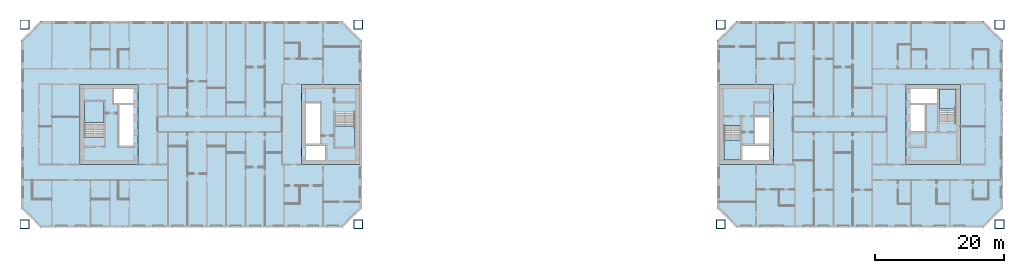
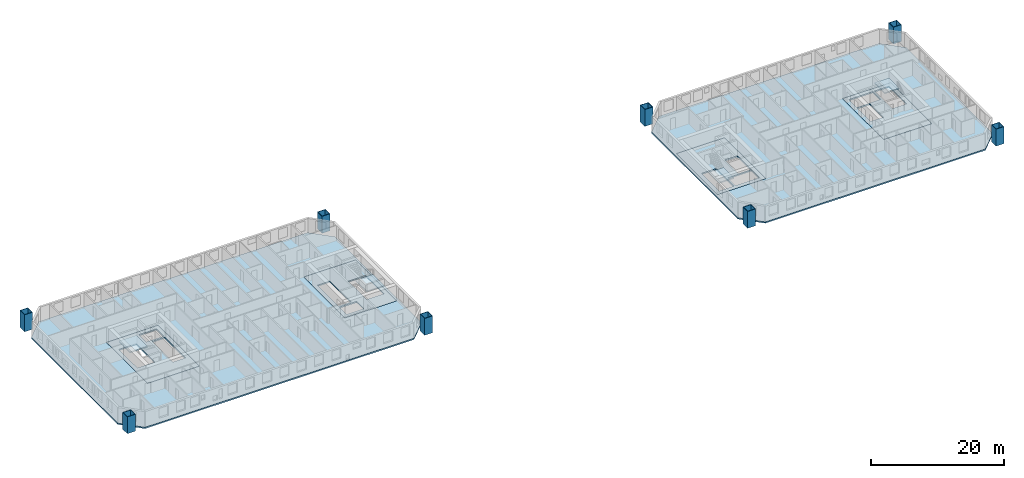
# One storey, part 1 of 17: 10 slabs, 8 columns, 4 elements without a shape of their own.
"""IFC4 building model written with IfcOpenShell, lengths in metres."""

from ifc_helpers import new_model, si_unit, direction, frame, origin, origin_2d, place, context, subcontext, project, spatial, polyline, hollow_rectangle, outline, extrude, material, layer, layer_set, material_profile, profile_set, type_object, element, aggregate, save


model = new_model("IFC4")

# Units and contexts
model_context = context("Model", 3, precision=1e-05, world=origin(), true_north=direction((0.0, 1.0)))
body_context = subcontext(model_context, "Body", "Model", "MODEL_VIEW")
ifc_project = project(units=[si_unit("LENGTHUNIT", "METRE"), si_unit("AREAUNIT", "SQUARE_METRE"), si_unit("VOLUMEUNIT", "CUBIC_METRE"), si_unit("PLANEANGLEUNIT", "RADIAN"), si_unit("MASSUNIT", "GRAM", prefix="KILO")], contexts=[model_context])

# Site, building, storey
site_placement = place(None, origin())
site = spatial("IfcSite", under=ifc_project, at=site_placement, CompositionType="ELEMENT")
building_placement = place(site_placement, origin())
building = spatial("IfcBuilding", under=site, at=building_placement, Name="Tuart Gate Housing", CompositionType="ELEMENT")
storey_placement = place(building_placement, frame((0.0, 0.0, 77.800048828125)))
storey = spatial("IfcBuildingStorey", under=building, at=storey_placement, Name="L21", CompositionType="ELEMENT", Elevation=77.800048828125)

# Columns
ifc_material_1 = material(Name="Steel Grade 350", Category="steel")
ifc_material_profile = material_profile(ifc_material_1, hollow_rectangle(XDim=1.39990234375, YDim=1.39990234375, WallThickness=0.074951171875, at=origin_2d()), Name="BOX 1400x1400x75")
ifc_profile_set = profile_set([ifc_material_profile], Name="Steel Grade 350")
column_type = type_object("IfcColumnType", Name="Mega column BOX 1400x1400x75", PredefinedType="COLUMN", material=ifc_profile_set)
for number, where, z_axis, x_axis, name in (
    (1, (23.800048828125, 54.550048828125, 0.0), (0.0, 0.0, 1.0), (1.0, 0.0, 0.0), "Mega column A south-west L21"),
    (2, (75.449951171875, 54.550048828125, 0.0), (0.0, 0.0, 1.0), (1.0, 0.0, 0.0), "Mega column A south-east L21"),
    (3, (75.449951171875, 85.449951171875, 0.0), (0.0, 0.0, 1.0), (1.0, 0.0, 0.0), "Mega column A north-east L21"),
    (4, (23.800048828125, 85.449951171875, 0.0), (0.0, 0.0, 1.0), (1.0, 0.0, 0.0), "Mega column A north-west L21"),
    (5, (131.550048828125, 54.550048828125, 0.0), (0.0, 0.0, 1.0), (1.0, 0.0, 0.0), "Mega column B south-west L21"),
    (6, (174.699951171875, 54.550048828125, 0.0), (0.0, 0.0, 1.0), (1.0, 0.0, 0.0), "Mega column B south-east L21"),
    (7, (174.699951171875, 85.449951171875, 0.0), (0.0, 0.0, 1.0), (1.0, 0.0, 0.0), "Mega column B north-east L21"),
    (8, (131.550048828125, 85.449951171875, 0.0), (0.0, 0.0, 1.0), (1.0, 0.0, 0.0), "Mega column B north-west L21"),
):
    element("IfcColumn", number, at=place(storey_placement, frame(where, z_axis=z_axis, x_axis=x_axis)), inside=storey, type_object=column_type, Name=name, PredefinedType="COLUMN", context=body_context, shape_type="SweptSolid", body=[
        extrude(hollow_rectangle(XDim=1.39990234375, YDim=1.39990234375, WallThickness=0.074951171875, at=origin_2d()), origin(), (0.0, 0.0, 1.0), 3.099853515625),
    ])

# Slabs
ifc_material_2 = material(Name="Concrete C40", Category="concrete")
ifc_layer_1 = layer(ifc_material_2, 0.25)
ifc_layer_set_1 = layer_set([ifc_layer_1], Name="Core floor slab 250")
slab_type_1 = type_object("IfcSlabType", Name="Core floor slab 250", PredefinedType="FLOOR", material=ifc_layer_set_1)
slab_1_placement = place(storey_placement, frame((0.0, 0.0, -0.25)))
element("IfcSlab", 9, at=slab_1_placement, inside=storey, type_object=slab_type_1, Name="Core floor AG", PredefinedType="FLOOR", context=body_context, shape_type="SweptSolid", body=[
    extrude(outline(polyline([(66.639892578125, 63.800048828125), (75.639892578125, 63.800048828125), (75.639892578125, 76.199951171875), (66.639892578125, 76.199951171875), (66.639892578125, 63.800048828125)]), holes=[polyline([(67.340087890625, 64.5), (70.360107421875, 64.5), (70.360107421875, 66.699951171875), (67.340087890625, 66.699951171875), (67.340087890625, 64.5)]), polyline([(67.340087890625, 67.0), (69.5400390625, 67.0), (69.5400390625, 73.300048828125), (67.340087890625, 73.300048828125), (67.340087890625, 67.0)]), polyline([(71.889892578125, 66.35009765625), (74.93994140625, 66.35009765625), (74.93994140625, 71.929931640625), (71.889892578125, 71.929931640625), (71.889892578125, 66.35009765625)])]), origin(), (0.0, 0.0, 1.0), 0.25),
])
slab_2_placement = place(storey_placement, frame((0.0, 0.0, -0.25)))
element("IfcSlab", 10, at=slab_2_placement, inside=storey, type_object=slab_type_1, Name="Core floor AK", PredefinedType="FLOOR", context=body_context, shape_type="SweptSolid", body=[
    extrude(outline(polyline([(32.360107421875, 63.800048828125), (41.360107421875, 63.800048828125), (41.360107421875, 76.199951171875), (32.360107421875, 76.199951171875), (32.360107421875, 63.800048828125)]), holes=[polyline([(40.659912109375, 75.5), (37.639892578125, 75.5), (37.639892578125, 73.300048828125), (40.659912109375, 73.300048828125), (40.659912109375, 75.5)]), polyline([(40.659912109375, 73.0), (38.4599609375, 73.0), (38.4599609375, 66.699951171875), (40.659912109375, 66.699951171875), (40.659912109375, 73.0)]), polyline([(36.110107421875, 73.64990234375), (33.06005859375, 73.64990234375), (33.06005859375, 68.070068359375), (36.110107421875, 68.070068359375), (36.110107421875, 73.64990234375)])]), origin(), (0.0, 0.0, 1.0), 0.25),
])
slab_3_placement = place(storey_placement, frame((0.0, 0.0, -0.25)))
element("IfcSlab", 11, at=slab_3_placement, inside=storey, type_object=slab_type_1, Name="Core floor BG", PredefinedType="FLOOR", context=body_context, shape_type="SweptSolid", body=[
    extrude(outline(polyline([(131.360107421875, 63.800048828125), (139.760009765625, 63.800048828125), (139.760009765625, 76.199951171875), (131.360107421875, 76.199951171875), (131.360107421875, 63.800048828125)]), holes=[polyline([(139.06005859375, 66.85009765625), (134.909912109375, 66.85009765625), (134.909912109375, 64.5), (139.06005859375, 64.5), (139.06005859375, 66.85009765625)]), polyline([(139.06005859375, 71.10009765625), (136.860107421875, 71.10009765625), (136.860107421875, 67.0), (139.06005859375, 67.0), (139.06005859375, 71.10009765625)]), polyline([(134.610107421875, 69.830078125), (132.06005859375, 69.830078125), (132.06005859375, 64.5), (134.610107421875, 64.5), (134.610107421875, 69.830078125)])]), origin(), (0.0, 0.0, 1.0), 0.25),
])
slab_4_placement = place(storey_placement, frame((0.0, 0.0, -0.25)))
element("IfcSlab", 12, at=slab_4_placement, inside=storey, type_object=slab_type_1, Name="Core floor BK", PredefinedType="FLOOR", context=body_context, shape_type="SweptSolid", body=[
    extrude(outline(polyline([(160.239990234375, 63.800048828125), (168.639892578125, 63.800048828125), (168.639892578125, 76.199951171875), (160.239990234375, 76.199951171875), (160.239990234375, 63.800048828125)]), holes=[polyline([(160.93994140625, 73.14990234375), (165.090087890625, 73.14990234375), (165.090087890625, 75.5), (160.93994140625, 75.5), (160.93994140625, 73.14990234375)]), polyline([(160.93994140625, 68.89990234375), (163.139892578125, 68.89990234375), (163.139892578125, 73.0), (160.93994140625, 73.0), (160.93994140625, 68.89990234375)]), polyline([(165.389892578125, 70.169921875), (167.93994140625, 70.169921875), (167.93994140625, 75.5), (165.389892578125, 75.5), (165.389892578125, 70.169921875)])]), origin(), (0.0, 0.0, 1.0), 0.25),
])
ifc_material_3 = material(Name="Concrete C40", Category="concrete")
ifc_layer_2 = layer(ifc_material_3, 0.25)
ifc_layer_set_2 = layer_set([ifc_layer_2], Name="Flat plate 250")
slab_type_2 = type_object("IfcSlabType", Name="Flat plate 250", PredefinedType="FLOOR", material=ifc_layer_set_2)
slab_5_placement = place(storey_placement, frame((0.0, 0.0, -0.25)))
element("IfcSlab", 13, at=slab_5_placement, inside=storey, type_object=slab_type_2, Name="Floor slab A L21", PredefinedType="FLOOR", context=body_context, shape_type="SweptSolid", body=[
    extrude(outline(polyline([(26.25, 86.0), (23.25, 83.0), (23.25, 57.0), (26.25, 54.0), (73.0, 54.0), (76.0, 57.0), (76.0, 83.0), (73.0, 86.0), (26.25, 86.0)]), holes=[polyline([(66.639892578125, 76.199951171875), (75.639892578125, 76.199951171875), (75.639892578125, 63.800048828125), (66.639892578125, 63.800048828125), (66.639892578125, 76.199951171875)]), polyline([(41.360107421875, 76.199951171875), (41.360107421875, 63.800048828125), (32.360107421875, 63.800048828125), (32.360107421875, 76.199951171875), (41.360107421875, 76.199951171875)])]), origin(), (0.0, 0.0, 1.0), 0.25),
])
slab_6_placement = place(storey_placement, frame((0.0, 0.0, -0.25)))
element("IfcSlab", 14, at=slab_6_placement, inside=storey, type_object=slab_type_2, Name="Floor slab B L21", PredefinedType="FLOOR", context=body_context, shape_type="SweptSolid", body=[
    extrude(outline(polyline([(134.0, 86.0), (131.0, 83.0), (131.0, 57.0), (134.0, 54.0), (172.25, 54.0), (175.25, 57.0), (175.25, 83.0), (172.25, 86.0), (134.0, 86.0)]), holes=[polyline([(131.360107421875, 76.199951171875), (139.760009765625, 76.199951171875), (139.760009765625, 63.800048828125), (131.360107421875, 63.800048828125), (131.360107421875, 76.199951171875)]), polyline([(168.639892578125, 76.199951171875), (168.639892578125, 63.800048828125), (160.239990234375, 63.800048828125), (160.239990234375, 76.199951171875), (168.639892578125, 76.199951171875)])]), origin(), (0.0, 0.0, 1.0), 0.25),
])

# Stair, slab
ifc_material_4 = material(Name="Concrete C40", Category="concrete")
stair_type_1 = type_object("IfcStairType", Name="Core stair 1500", PredefinedType="HALF_TURN_STAIR", material=ifc_material_4)
stair_1_placement = place(storey_placement, origin())
stair_1 = element("IfcStair", 15, at=stair_1_placement, inside=storey, type_object=stair_type_1, Name="Stair SA1", PredefinedType="HALF_TURN_STAIR")
ifc_material_5 = material(Name="Concrete C40", Category="concrete")
ifc_layer_3 = layer(ifc_material_5, 0.199951171875)
ifc_layer_set_3 = layer_set([ifc_layer_3], Name="Stair landing 200")
slab_type_3 = type_object("IfcSlabType", Name="Stair landing 200", PredefinedType="LANDING", material=ifc_layer_set_3)
slab_7_placement = place(storey_placement, frame((0.0, 0.0, 1.349853515625)))
slab_7 = element("IfcSlab", 16, at=slab_7_placement, type_object=slab_type_3, Name="SA1 landing 1", PredefinedType="LANDING", context=body_context, shape_type="SweptSolid", body=[
    extrude(outline(polyline([(71.889892578125, 66.35009765625), (74.93994140625, 66.35009765625), (74.93994140625, 69.7099609375), (71.889892578125, 69.7099609375), (71.889892578125, 66.35009765625)])), origin(), (0.0, 0.0, 1.0), 0.2001953125),
])
aggregate(stair_1, [slab_7])

stair_2_placement = place(storey_placement, origin())
stair_2 = element("IfcStair", 17, at=stair_2_placement, inside=storey, type_object=stair_type_1, Name="Stair SA2", PredefinedType="HALF_TURN_STAIR")
slab_8_placement = place(storey_placement, frame((0.0, 0.0, 1.349853515625)))
slab_8 = element("IfcSlab", 18, at=slab_8_placement, type_object=slab_type_3, Name="SA2 landing 1", PredefinedType="LANDING", context=body_context, shape_type="SweptSolid", body=[
    extrude(outline(polyline([(36.110107421875, 73.64990234375), (33.06005859375, 73.64990234375), (33.06005859375, 70.2900390625), (36.110107421875, 70.2900390625), (36.110107421875, 73.64990234375)])), origin(), (0.0, 0.0, 1.0), 0.2001953125),
])
aggregate(stair_2, [slab_8])

ifc_material_6 = material(Name="Concrete C40", Category="concrete")
stair_type_2 = type_object("IfcStairType", Name="Core stair 1250", PredefinedType="HALF_TURN_STAIR", material=ifc_material_6)
stair_3_placement = place(storey_placement, origin())
stair_3 = element("IfcStair", 19, at=stair_3_placement, inside=storey, type_object=stair_type_2, Name="Stair SB1", PredefinedType="HALF_TURN_STAIR")
slab_9_placement = place(storey_placement, frame((0.0, 0.0, 1.349853515625)))
slab_9 = element("IfcSlab", 20, at=slab_9_placement, type_object=slab_type_3, Name="SB1 landing 1", PredefinedType="LANDING", context=body_context, shape_type="SweptSolid", body=[
    extrude(outline(polyline([(134.610107421875, 67.610107421875), (132.06005859375, 67.610107421875), (132.06005859375, 64.5), (134.610107421875, 64.5), (134.610107421875, 67.610107421875)])), origin(), (0.0, 0.0, 1.0), 0.2001953125),
])
aggregate(stair_3, [slab_9])

stair_4_placement = place(storey_placement, origin())
stair_4 = element("IfcStair", 21, at=stair_4_placement, inside=storey, type_object=stair_type_2, Name="Stair SB2", PredefinedType="HALF_TURN_STAIR")
slab_10_placement = place(storey_placement, frame((0.0, 0.0, 1.349853515625)))
slab_10 = element("IfcSlab", 22, at=slab_10_placement, type_object=slab_type_3, Name="SB2 landing 1", PredefinedType="LANDING", context=body_context, shape_type="SweptSolid", body=[
    extrude(outline(polyline([(165.389892578125, 72.389892578125), (167.93994140625, 72.389892578125), (167.93994140625, 75.5), (165.389892578125, 75.5), (165.389892578125, 72.389892578125)])), origin(), (0.0, 0.0, 1.0), 0.2001953125),
])
aggregate(stair_4, [slab_10])

save(model, "model.ifc")
